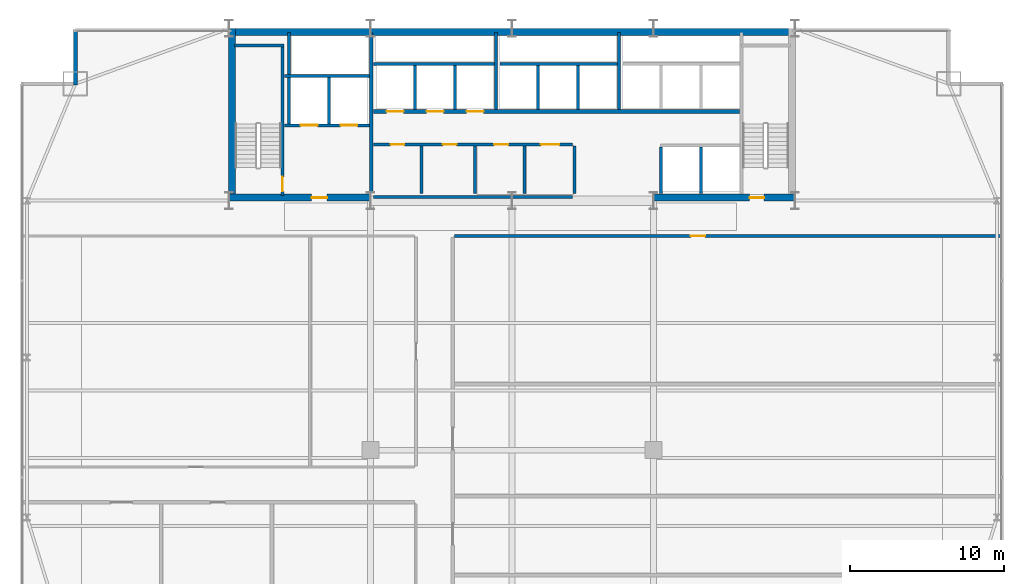
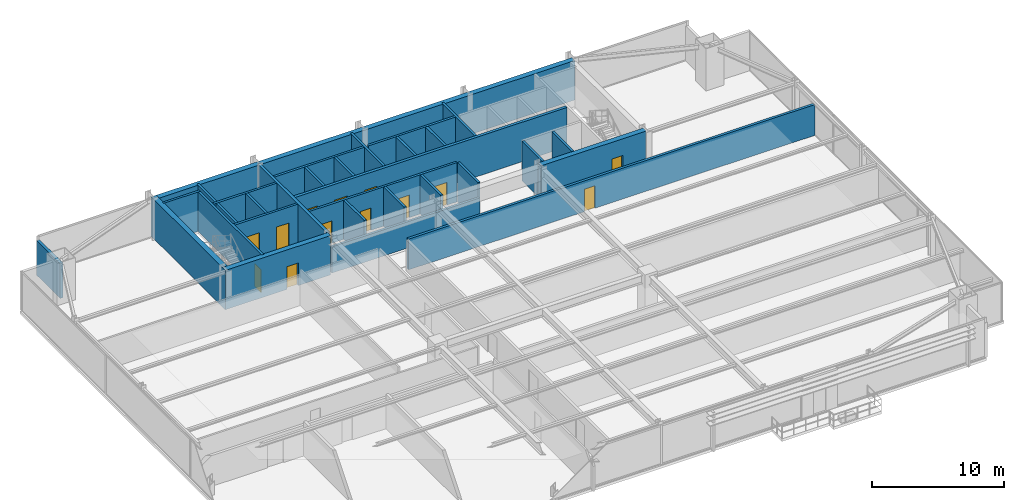
# One storey, part 26 of 29: 30 walls, 13 doors, 13 openings.
"""IFC4 building model written with IfcOpenShell, lengths in metres."""

from ifc_helpers import new_model, si_unit, direction, frame, frame_2d, origin, place, context, subcontext, project, spatial, rectangle, extrude, source, transform, mapped, material, layer, layer_set, type_object, type_shapes, element, fill, save


model = new_model("IFC4")

# Units and contexts
model_context = context("Model", 3, precision=1e-05, world=origin(), true_north=direction((0.0, 1.0)))
body_context = subcontext(model_context, "Body", "Model", "MODEL_VIEW")
ifc_project = project(units=[si_unit("LENGTHUNIT", "METRE"), si_unit("AREAUNIT", "SQUARE_METRE"), si_unit("VOLUMEUNIT", "CUBIC_METRE"), si_unit("PLANEANGLEUNIT", "RADIAN"), si_unit("MASSUNIT", "GRAM", prefix="KILO")], contexts=[model_context])

# Site, building, storey
site_placement = place(None, origin())
site = spatial("IfcSite", under=ifc_project, at=site_placement, CompositionType="ELEMENT")
building_placement = place(site_placement, origin())
building = spatial("IfcBuilding", under=site, at=building_placement, Name="Varnel Quay Broadcast Tower", CompositionType="ELEMENT")
storey_placement = place(building_placement, frame((0.0, 0.0, 74.39990234375)))
storey = spatial("IfcBuildingStorey", under=building, at=storey_placement, Name="L17", CompositionType="ELEMENT", Elevation=74.39990234375)

# Wall, opening, door
ifc_material_1 = material(Name="Concrete CSA A23.3 C50/60", Category="concrete")
ifc_layer_1 = layer(ifc_material_1, 0.199951171875, Name="Concrete CSA A23.3 C50/60")
ifc_layer_set_1 = layer_set([ifc_layer_1], Name="Concrete CSA A23.3 C50/60")
wall_type_1 = type_object("IfcWallType", Name="Wall_CoreShaftShear200", PredefinedType="SHEAR", material=ifc_layer_set_1)
wall_1_placement = place(storey_placement, frame((19.080078125, 35.949951171875, 0.0), z_axis=(0.0, 0.0, 1.0), x_axis=(0.0, 1.0, 0.0)))
wall_1 = element("IfcWall", 1, at=wall_1_placement, inside=storey, type_object=wall_type_1, Name="L17 Stair 1 East Structural Wall", PredefinedType="SHEAR", context=body_context, shape_type="SweptSolid", body=[
    extrude(rectangle(XDim=9.650146484375, YDim=0.199951171875, at=frame_2d((4.8251953125, 0.0))), origin(), (0.0, 0.0, 1.0), 3.650146484375),
])
opening_1_placement = place(wall_1_placement, frame((0.25, 0.0, 0.0)))
opening_1 = element("IfcOpeningElement", 2, at=opening_1_placement, cuts=wall_1, Name="Opening D-L17-S1", PredefinedType="OPENING", context=body_context, shape_type="SweptSolid", body=[
    extrude(rectangle(XDim=0.949951171875, YDim=2.10009765625, at=frame_2d((0.47509765625, 1.050048828125))), frame((0.0, 0.10986328125, 0.0), z_axis=(0.0, -1.0, 0.0), x_axis=(1.0, 0.0, 0.0)), (0.0, 0.0, 1.0), 0.219970703125),
])
ifc_material_2 = material(Name="Insulated Fire-Rated Hollow Steel Door", Category="steel")
door_type_1 = type_object("IfcDoorType", Name="Door_FireStair950", OperationType="NOTDEFINED", PredefinedType="DOOR", material=ifc_material_2)
shared_shape_1 = source(origin(), body_context, "Body", "SweptSolid", [
    extrude(rectangle(XDim=0.949951171875, YDim=2.10009765625, at=frame_2d((0.47509765625, 1.050048828125))), frame((0.0, 0.02490234375, 0.0), z_axis=(0.0, -1.0, 0.0), x_axis=(1.0, 0.0, 0.0)), (0.0, 0.0, 1.0), 0.050048828125),
])
type_shapes(door_type_1, [shared_shape_1])
door_1_placement = place(opening_1_placement, origin())
door_1 = element("IfcDoor", 3, at=door_1_placement, inside=storey, type_object=door_type_1, Name="L17 Stair 1 Fire Door", OperationType="SINGLE_SWING_RIGHT", OverallHeight=2.10009765625, OverallWidth=0.949951171875, PredefinedType="DOOR", context=body_context, shape_type="MappedRepresentation", body=[
    mapped(shared_shape_1, transform((0.0, 0.0, 0.0), x_axis=(1.0, 0.0, 0.0), y_axis=(0.0, 1.0, 0.0), z_axis=(0.0, 0.0, 1.0), scale=1.0)),
])
fill(opening_1, door_1)

# Wall
wall_2_placement = place(storey_placement, frame((15.949951171875, 45.679931640625, 0.0), z_axis=(0.0, 0.0, 1.0), x_axis=(1.0, 0.0, 0.0)))
element("IfcWall", 4, at=wall_2_placement, inside=storey, type_object=wall_type_1, Name="L17 Stair 1 North Structural Wall", PredefinedType="SHEAR", context=body_context, shape_type="SweptSolid", body=[
    extrude(rectangle(XDim=3.22998046875, YDim=0.199951171875, at=frame_2d((1.614990234375, 0.0))), origin(), (0.0, 0.0, 1.0), 3.650146484375),
])

# Wall, openings, doors
wall_3_placement = place(storey_placement, frame((19.199951171875, 40.5, 0.0), z_axis=(0.0, 0.0, 1.0), x_axis=(1.0, 0.0, 0.0)))
wall_3 = element("IfcWall", 5, at=wall_3_placement, inside=storey, type_object=wall_type_1, Name="L17 Firefighter Lift Shaft Front Wall", PredefinedType="SHEAR", context=body_context, shape_type="SweptSolid", body=[
    extrude(rectangle(XDim=5.52001953125, YDim=0.199951171875, at=frame_2d((2.760009765625, 0.0))), origin(), (0.0, 0.0, 1.0), 3.650146484375),
])
opening_2_placement = place(wall_3_placement, frame((1.050048828125, 0.0, 0.0)))
opening_2 = element("IfcOpeningElement", 6, at=opening_2_placement, cuts=wall_3, Name="Opening LD-L17-FE1", PredefinedType="OPENING", context=body_context, shape_type="SweptSolid", body=[
    extrude(rectangle(XDim=1.10009765625, YDim=2.179931640625, at=frame_2d((0.550048828125, 1.08984375))), frame((0.0, 0.10986328125, 0.0), z_axis=(0.0, -1.0, 0.0), x_axis=(1.0, 0.0, 0.0)), (0.0, 0.0, 1.0), 0.219970703125),
])
opening_3_placement = place(wall_3_placement, frame((3.64990234375, 0.0, 0.0)))
opening_3 = element("IfcOpeningElement", 7, at=opening_3_placement, cuts=wall_3, Name="Opening LD-L17-FE2", PredefinedType="OPENING", context=body_context, shape_type="SweptSolid", body=[
    extrude(rectangle(XDim=1.10009765625, YDim=2.179931640625, at=frame_2d((0.550048828125, 1.08984375))), frame((0.0, 0.10986328125, 0.0), z_axis=(0.0, -1.0, 0.0), x_axis=(1.0, 0.0, 0.0)), (0.0, 0.0, 1.0), 0.219970703125),
])
ifc_material_3 = material(Name="Brushed Bronze-Stainless Lift Car & Sliding Doors", Category="steel")
door_type_2 = type_object("IfcDoorType", Name="Door_LiftLanding1100", OperationType="SLIDING_TO_LEFT", PredefinedType="DOOR", material=ifc_material_3)
shared_shape_2 = source(origin(), body_context, "Body", "SweptSolid", [
    extrude(rectangle(XDim=1.10009765625, YDim=2.179931640625, at=frame_2d((0.550048828125, 1.08984375))), frame((0.0, 0.02490234375, 0.0), z_axis=(0.0, -1.0, 0.0), x_axis=(1.0, 0.0, 0.0)), (0.0, 0.0, 1.0), 0.050048828125),
])
type_shapes(door_type_2, [shared_shape_2])
door_2_placement = place(opening_2_placement, frame((1.10009765625, 0.0, 0.0), z_axis=(0.0, 0.0, 1.0), x_axis=(-1.0, 0.0, 0.0)))
door_2 = element("IfcDoor", 8, at=door_2_placement, inside=storey, type_object=door_type_2, Name="L17 Firefighter Lift FE-01 Landing Door", OperationType="SLIDING_TO_LEFT", OverallHeight=2.179931640625, OverallWidth=1.10009765625, PredefinedType="DOOR", context=body_context, shape_type="MappedRepresentation", body=[
    mapped(shared_shape_2, transform((0.0, 0.0, 0.0), x_axis=(1.0, 0.0, 0.0), y_axis=(0.0, 1.0, 0.0), z_axis=(0.0, 0.0, 1.0), scale=1.0)),
])
fill(opening_2, door_2)
door_3_placement = place(opening_3_placement, frame((1.10009765625, 0.0, 0.0), z_axis=(0.0, 0.0, 1.0), x_axis=(-1.0, 0.0, 0.0)))
door_3 = element("IfcDoor", 9, at=door_3_placement, inside=storey, type_object=door_type_2, Name="L17 Firefighter Lift FE-02 Landing Door", OperationType="SLIDING_TO_RIGHT", OverallHeight=2.179931640625, OverallWidth=1.10009765625, PredefinedType="DOOR", context=body_context, shape_type="MappedRepresentation", body=[
    mapped(shared_shape_2, transform((0.0, 0.0, 0.0), x_axis=(1.0, 0.0, 0.0), y_axis=(0.0, 1.0, 0.0), z_axis=(0.0, 0.0, 1.0), scale=1.0)),
])
fill(opening_3, door_3)

# Walls
wall_4_placement = place(storey_placement, frame((19.199951171875, 43.699951171875, 0.0), z_axis=(0.0, 0.0, 1.0), x_axis=(1.0, 0.0, 0.0)))
element("IfcWall", 10, at=wall_4_placement, inside=storey, type_object=wall_type_1, Name="L17 Firefighter Lift Shaft Rear Wall", PredefinedType="SHEAR", context=body_context, shape_type="SweptSolid", body=[
    extrude(rectangle(XDim=5.52001953125, YDim=0.199951171875, at=frame_2d((2.760009765625, 0.0))), origin(), (0.0, 0.0, 1.0), 3.650146484375),
])
wall_5_placement = place(storey_placement, frame((22.10009765625, 40.60009765625, 0.0), z_axis=(0.0, 0.0, 1.0), x_axis=(0.0, 1.0, 0.0)))
element("IfcWall", 11, at=wall_5_placement, inside=storey, type_object=wall_type_1, Name="L17 Firefighter Lift Shaft Divider", PredefinedType="SHEAR", context=body_context, shape_type="SweptSolid", body=[
    extrude(rectangle(XDim=3.0, YDim=0.199951171875, at=frame_2d((1.5, 0.0))), origin(), (0.0, 0.0, 1.0), 3.650146484375),
])
wall_6_placement = place(storey_placement, frame((19.5, 40.60009765625, 0.0), z_axis=(0.0, 0.0, 1.0), x_axis=(0.0, 1.0, 0.0)))
element("IfcWall", 12, at=wall_6_placement, inside=storey, type_object=wall_type_1, Name="L17 Firefighter Lift Shaft West Wall", PredefinedType="SHEAR", context=body_context, shape_type="SweptSolid", body=[
    extrude(rectangle(XDim=5.949951171875, YDim=0.199951171875, at=frame_2d((2.97509765625, 0.0))), origin(), (0.0, 0.0, 1.0), 3.650146484375),
])
wall_7_placement = place(storey_placement, frame((24.97998046875, 44.5, 0.0), z_axis=(0.0, 0.0, 1.0), x_axis=(1.0, 0.0, 0.0)))
element("IfcWall", 13, at=wall_7_placement, inside=storey, type_object=wall_type_1, Name="L17 Low-Rise Lift Shaft Rear Wall", PredefinedType="SHEAR", context=body_context, shape_type="SweptSolid", body=[
    extrude(rectangle(XDim=7.8701171875, YDim=0.199951171875, at=frame_2d((3.93505859375, 0.0))), origin(), (0.0, 0.0, 1.0), 3.650146484375),
])
for number, where, z_axis, x_axis, name in (
    (14, (27.699951171875, 41.530029296875, 0.0), (0.0, 0.0, 1.0), (0.0, 1.0, 0.0), "L17 Low-Rise Lift Shaft Divider 1"),
    (15, (30.300048828125, 41.530029296875, 0.0), (0.0, 0.0, 1.0), (0.0, 1.0, 0.0), "L17 Low-Rise Lift Shaft Divider 2"),
):
    element("IfcWall", number, at=place(storey_placement, frame(where, z_axis=z_axis, x_axis=x_axis)), inside=storey, type_object=wall_type_1, Name=name, PredefinedType="SHEAR", context=body_context, shape_type="SweptSolid", body=[
        extrude(rectangle(XDim=2.869873046875, YDim=0.199951171875, at=frame_2d((1.43505859375, 0.0))), origin(), (0.0, 0.0, 1.0), 3.650146484375),
    ])
wall_8_placement = place(storey_placement, frame((32.949951171875, 41.530029296875, 0.0), z_axis=(0.0, 0.0, 1.0), x_axis=(0.0, 1.0, 0.0)))
element("IfcWall", 16, at=wall_8_placement, inside=storey, type_object=wall_type_1, Name="L17 Low-Rise Lift Shaft Divider 3", PredefinedType="SHEAR", context=body_context, shape_type="SweptSolid", body=[
    extrude(rectangle(XDim=5.02001953125, YDim=0.199951171875, at=frame_2d((2.510009765625, 0.0))), origin(), (0.0, 0.0, 1.0), 3.650146484375),
])
wall_9_placement = place(storey_placement, frame((33.219970703125, 44.5, 0.0), z_axis=(0.0, 0.0, 1.0), x_axis=(1.0, 0.0, 0.0)))
element("IfcWall", 17, at=wall_9_placement, inside=storey, type_object=wall_type_1, Name="L17 Mid-Rise Lift Shaft Rear Wall", PredefinedType="SHEAR", context=body_context, shape_type="SweptSolid", body=[
    extrude(rectangle(XDim=7.630126953125, YDim=0.199951171875, at=frame_2d((3.81494140625, 0.0))), origin(), (0.0, 0.0, 1.0), 3.650146484375),
])
for number, where, z_axis, x_axis, name in (
    (18, (35.699951171875, 41.530029296875, 0.0), (0.0, 0.0, 1.0), (0.0, 1.0, 0.0), "L17 Mid-Rise Lift Shaft Divider 2"),
    (19, (38.300048828125, 41.530029296875, 0.0), (0.0, 0.0, 1.0), (0.0, 1.0, 0.0), "L17 Mid-Rise Lift Shaft Divider 3"),
):
    element("IfcWall", number, at=place(storey_placement, frame(where, z_axis=z_axis, x_axis=x_axis)), inside=storey, type_object=wall_type_1, Name=name, PredefinedType="SHEAR", context=body_context, shape_type="SweptSolid", body=[
        extrude(rectangle(XDim=2.869873046875, YDim=0.199951171875, at=frame_2d((1.43505859375, 0.0))), origin(), (0.0, 0.0, 1.0), 3.650146484375),
    ])
wall_10_placement = place(storey_placement, frame((40.949951171875, 41.530029296875, 0.0), z_axis=(0.0, 0.0, 1.0), x_axis=(0.0, 1.0, 0.0)))
element("IfcWall", 20, at=wall_10_placement, inside=storey, type_object=wall_type_1, Name="L17 Mid-Rise Lift Shaft Divider 4", PredefinedType="SHEAR", context=body_context, shape_type="SweptSolid", body=[
    extrude(rectangle(XDim=5.02001953125, YDim=0.199951171875, at=frame_2d((2.510009765625, 0.0))), origin(), (0.0, 0.0, 1.0), 3.650146484375),
])
for number, where, z_axis, x_axis, name in (
    (21, (43.699951171875, 36.050048828125, 0.0), (0.0, 0.0, 1.0), (0.0, 1.0, 0.0), "L17 Express Lift Shaft West Wall"),
    (22, (46.300048828125, 36.050048828125, 0.0), (0.0, 0.0, 1.0), (0.0, 1.0, 0.0), "L17 Express Lift Shaft Divider"),
):
    element("IfcWall", number, at=place(storey_placement, frame(where, z_axis=z_axis, x_axis=x_axis)), inside=storey, type_object=wall_type_1, Name=name, PredefinedType="SHEAR", context=body_context, shape_type="SweptSolid", body=[
        extrude(rectangle(XDim=3.050048828125, YDim=0.199951171875, at=frame_2d((1.52490234375, 0.0))), origin(), (0.0, 0.0, 1.0), 3.650146484375),
    ])
ifc_layer_2 = layer(ifc_material_1, 0.25, Name="Concrete CSA A23.3 C50/60")
ifc_layer_set_2 = layer_set([ifc_layer_2], Name="Concrete CSA A23.3 C50/60")
wall_type_2 = type_object("IfcWallType", Name="Wall_CoreShaftShear250", PredefinedType="SHEAR", material=ifc_layer_set_2)
wall_11_placement = place(storey_placement, frame((24.85009765625, 36.050048828125, 0.0), z_axis=(0.0, 0.0, 1.0), x_axis=(0.0, 1.0, 0.0)))
element("IfcWall", 23, at=wall_11_placement, inside=storey, type_object=wall_type_2, Name="L17 Firefighting Lobby East Structural Wall", PredefinedType="SHEAR", context=body_context, shape_type="SweptSolid", body=[
    extrude(rectangle(XDim=10.449951171875, YDim=0.25, at=frame_2d((5.22509765625, 0.0))), origin(), (0.0, 0.0, 1.0), 3.650146484375),
])

# Wall, openings, doors
wall_12_placement = place(storey_placement, frame((24.97998046875, 41.39990234375, 0.0), z_axis=(0.0, 0.0, 1.0), x_axis=(1.0, 0.0, 0.0)))
wall_12 = element("IfcWall", 24, at=wall_12_placement, inside=storey, type_object=wall_type_2, Name="L17 North Lift Bank & Reclaimed Suite Wall", PredefinedType="SHEAR", context=body_context, shape_type="SweptSolid", body=[
    extrude(rectangle(XDim=23.820068359375, YDim=0.25, at=frame_2d((11.91015625, 0.0))), origin(), (0.0, 0.0, 1.0), 3.650146484375),
])
opening_4_placement = place(wall_12_placement, frame((0.8701171875, 0.0, 0.0)))
opening_4 = element("IfcOpeningElement", 25, at=opening_4_placement, cuts=wall_12, Name="Opening LD-L17-PL-01", PredefinedType="OPENING", context=body_context, shape_type="SweptSolid", body=[
    extrude(rectangle(XDim=1.10009765625, YDim=2.179931640625, at=frame_2d((0.550048828125, 1.08984375))), frame((0.0, 0.135009765625, 0.0), z_axis=(0.0, -1.0, 0.0), x_axis=(1.0, 0.0, 0.0)), (0.0, 0.0, 1.0), 0.27001953125),
])
opening_5_placement = place(wall_12_placement, frame((3.469970703125, 0.0, 0.0)))
opening_5 = element("IfcOpeningElement", 26, at=opening_5_placement, cuts=wall_12, Name="Opening LD-L17-PL-02", PredefinedType="OPENING", context=body_context, shape_type="SweptSolid", body=[
    extrude(rectangle(XDim=1.10009765625, YDim=2.179931640625, at=frame_2d((0.550048828125, 1.08984375))), frame((0.0, 0.135009765625, 0.0), z_axis=(0.0, -1.0, 0.0), x_axis=(1.0, 0.0, 0.0)), (0.0, 0.0, 1.0), 0.27001953125),
])
opening_6_placement = place(wall_12_placement, frame((6.070068359375, 0.0, 0.0)))
opening_6 = element("IfcOpeningElement", 27, at=opening_6_placement, cuts=wall_12, Name="Opening LD-L17-PL-03", PredefinedType="OPENING", context=body_context, shape_type="SweptSolid", body=[
    extrude(rectangle(XDim=1.10009765625, YDim=2.179931640625, at=frame_2d((0.550048828125, 1.08984375))), frame((0.0, 0.135009765625, 0.0), z_axis=(0.0, -1.0, 0.0), x_axis=(1.0, 0.0, 0.0)), (0.0, 0.0, 1.0), 0.27001953125),
])
door_4_placement = place(opening_4_placement, frame((1.10009765625, 0.0, 0.0), z_axis=(0.0, 0.0, 1.0), x_axis=(-1.0, 0.0, 0.0)))
door_4 = element("IfcDoor", 28, at=door_4_placement, inside=storey, type_object=door_type_2, Name="L17 Lift PL-01 Landing Door", OperationType="SLIDING_TO_LEFT", OverallHeight=2.179931640625, OverallWidth=1.10009765625, PredefinedType="DOOR", context=body_context, shape_type="MappedRepresentation", body=[
    mapped(shared_shape_2, transform((0.0, 0.0, 0.0), x_axis=(1.0, 0.0, 0.0), y_axis=(0.0, 1.0, 0.0), z_axis=(0.0, 0.0, 1.0), scale=1.0)),
])
fill(opening_4, door_4)
door_5_placement = place(opening_5_placement, frame((1.10009765625, 0.0, 0.0), z_axis=(0.0, 0.0, 1.0), x_axis=(-1.0, 0.0, 0.0)))
door_5 = element("IfcDoor", 29, at=door_5_placement, inside=storey, type_object=door_type_2, Name="L17 Lift PL-02 Landing Door", OperationType="SLIDING_TO_LEFT", OverallHeight=2.179931640625, OverallWidth=1.10009765625, PredefinedType="DOOR", context=body_context, shape_type="MappedRepresentation", body=[
    mapped(shared_shape_2, transform((0.0, 0.0, 0.0), x_axis=(1.0, 0.0, 0.0), y_axis=(0.0, 1.0, 0.0), z_axis=(0.0, 0.0, 1.0), scale=1.0)),
])
fill(opening_5, door_5)
door_6_placement = place(opening_6_placement, frame((1.10009765625, 0.0, 0.0), z_axis=(0.0, 0.0, 1.0), x_axis=(-1.0, 0.0, 0.0)))
door_6 = element("IfcDoor", 30, at=door_6_placement, inside=storey, type_object=door_type_2, Name="L17 Lift PL-03 Landing Door", OperationType="SLIDING_TO_LEFT", OverallHeight=2.179931640625, OverallWidth=1.10009765625, PredefinedType="DOOR", context=body_context, shape_type="MappedRepresentation", body=[
    mapped(shared_shape_2, transform((0.0, 0.0, 0.0), x_axis=(1.0, 0.0, 0.0), y_axis=(0.0, 1.0, 0.0), z_axis=(0.0, 0.0, 1.0), scale=1.0)),
])
fill(opening_6, door_6)

# Walls
ifc_material_4 = material(Name="Concrete CSA A23.3 C60/75", Category="concrete")
ifc_layer_3 = layer(ifc_material_4, 0.449951171875, Name="Concrete CSA A23.3 C60/75")
ifc_layer_set_3 = layer_set([ifc_layer_3], Name="Concrete CSA A23.3 C60/75")
wall_type_3 = type_object("IfcWallType", Name="Wall_CoreShearExt450", PredefinedType="SHEAR", material=ifc_layer_set_3)
wall_13_placement = place(storey_placement, frame((15.60009765625, 46.574951171875, 0.0), z_axis=(0.0, 0.0, 1.0), x_axis=(1.0, 0.0, 0.0)))
element("IfcWall", 31, at=wall_13_placement, inside=storey, type_object=wall_type_3, Name="L17 North Core Shear Wall", PredefinedType="SHEAR", context=body_context, shape_type="SweptSolid", body=[
    extrude(rectangle(XDim=36.7998046875, YDim=0.449951171875, at=frame_2d((18.39990234375, 0.0))), origin(), (0.0, 0.0, 1.0), 3.650146484375),
])
ifc_layer_4 = layer(ifc_material_4, 0.449951171875, Name="Concrete CSA A23.3 C60/75")
ifc_layer_set_4 = layer_set([ifc_layer_4], Name="Concrete CSA A23.3 C60/75")
wall_type_4 = type_object("IfcWallType", Name="Wall_CoreShearInt450", PredefinedType="SHEAR", material=ifc_layer_set_4)
wall_14_placement = place(storey_placement, frame((15.794921875, 35.570068359375, 0.0), z_axis=(0.0, 0.0, 1.0), x_axis=(0.0, 1.0, 0.0)))
element("IfcWall", 32, at=wall_14_placement, inside=storey, type_object=wall_type_4, Name="L17 West Core Shear Wall", PredefinedType="SHEAR", context=body_context, shape_type="SweptSolid", body=[
    extrude(rectangle(XDim=11.22998046875, YDim=0.449951171875, at=frame_2d((5.614990234375, 0.0))), origin(), (0.0, 0.0, 1.0), 3.650146484375),
])

# Wall, opening, door
wall_15_placement = place(storey_placement, frame((15.570068359375, 35.794921875, 0.0), z_axis=(0.0, 0.0, 1.0), x_axis=(1.0, 0.0, 0.0)))
wall_15 = element("IfcWall", 33, at=wall_15_placement, inside=storey, type_object=wall_type_4, Name="L17 South-West Core Shear Wall", PredefinedType="SHEAR", context=body_context, shape_type="SweptSolid", body=[
    extrude(rectangle(XDim=9.22998046875, YDim=0.449951171875, at=frame_2d((4.614990234375, 0.0))), origin(), (0.0, 0.0, 1.0), 3.650146484375),
])
opening_7_placement = place(wall_15_placement, frame((5.39990234375, 0.0, 0.0)))
opening_7 = element("IfcOpeningElement", 34, at=opening_7_placement, cuts=wall_15, Name="Opening D-L17-FFL", PredefinedType="OPENING", context=body_context, shape_type="SweptSolid", body=[
    extrude(rectangle(XDim=1.0, YDim=2.10009765625, at=frame_2d((0.5, 1.050048828125))), frame((0.0, 0.23486328125, 0.0), z_axis=(0.0, -1.0, 0.0), x_axis=(1.0, 0.0, 0.0)), (0.0, 0.0, 1.0), 0.469970703125),
])
door_type_3 = type_object("IfcDoorType", Name="Door_FireLobby1000", OperationType="NOTDEFINED", PredefinedType="DOOR", material=ifc_material_2)
shared_shape_3 = source(origin(), body_context, "Body", "SweptSolid", [
    extrude(rectangle(XDim=1.0, YDim=2.10009765625, at=frame_2d((0.5, 1.050048828125))), frame((0.0, 0.02490234375, 0.0), z_axis=(0.0, -1.0, 0.0), x_axis=(1.0, 0.0, 0.0)), (0.0, 0.0, 1.0), 0.050048828125),
])
type_shapes(door_type_3, [shared_shape_3])
door_7_placement = place(opening_7_placement, origin())
door_7 = element("IfcDoor", 35, at=door_7_placement, inside=storey, type_object=door_type_3, Name="L17 Firefighting Lobby Door", OperationType="SINGLE_SWING_LEFT", OverallHeight=2.10009765625, OverallWidth=1.0, PredefinedType="DOOR", context=body_context, shape_type="MappedRepresentation", body=[
    mapped(shared_shape_3, transform((0.0, 0.0, 0.0), x_axis=(1.0, 0.0, 0.0), y_axis=(0.0, 1.0, 0.0), z_axis=(0.0, 0.0, 1.0), scale=1.0)),
])
fill(opening_7, door_7)

wall_16_placement = place(storey_placement, frame((43.199951171875, 35.794921875, 0.0), z_axis=(0.0, 0.0, 1.0), x_axis=(1.0, 0.0, 0.0)))
wall_16 = element("IfcWall", 36, at=wall_16_placement, inside=storey, type_object=wall_type_4, Name="L17 South-East Core Shear Wall", PredefinedType="SHEAR", context=body_context, shape_type="SweptSolid", body=[
    extrude(rectangle(XDim=9.22998046875, YDim=0.449951171875, at=frame_2d((4.614990234375, 0.0))), origin(), (0.0, 0.0, 1.0), 3.650146484375),
])
opening_8_placement = place(wall_16_placement, frame((6.25, 0.0, 0.0)))
opening_8 = element("IfcOpeningElement", 37, at=opening_8_placement, cuts=wall_16, Name="Opening D-L17-S2", PredefinedType="OPENING", context=body_context, shape_type="SweptSolid", body=[
    extrude(rectangle(XDim=0.949951171875, YDim=2.10009765625, at=frame_2d((0.47509765625, 1.050048828125))), frame((0.0, 0.23486328125, 0.0), z_axis=(0.0, -1.0, 0.0), x_axis=(1.0, 0.0, 0.0)), (0.0, 0.0, 1.0), 0.469970703125),
])
door_8_placement = place(opening_8_placement, origin())
door_8 = element("IfcDoor", 38, at=door_8_placement, inside=storey, type_object=door_type_1, Name="L17 Stair 2 Fire Door", OperationType="SINGLE_SWING_RIGHT", OverallHeight=2.10009765625, OverallWidth=0.949951171875, PredefinedType="DOOR", context=body_context, shape_type="MappedRepresentation", body=[
    mapped(shared_shape_1, transform((0.0, 0.0, 0.0), x_axis=(1.0, 0.0, 0.0), y_axis=(0.0, 1.0, 0.0), z_axis=(0.0, 0.0, 1.0), scale=1.0)),
])
fill(opening_8, door_8)

# Walls
ifc_material_5 = material(Name="Precast Architectural Concrete C40/50", Category="concrete")
ifc_layer_5 = layer(ifc_material_5, 0.25, Name="Precast Architectural Concrete C40/50")
ifc_layer_set_5 = layer_set([ifc_layer_5], Name="Precast Architectural Concrete C40/50")
wall_type_5 = type_object("IfcWallType", Name="Wall_ExtTerrace250", PredefinedType="SOLIDWALL", material=ifc_layer_set_5)
wall_17_placement = place(storey_placement, frame((5.60009765625, 43.1201171875, 0.0), z_axis=(0.0, 0.0, 1.0), x_axis=(0.0, 1.0, 0.0)))
element("IfcWall", 39, at=wall_17_placement, inside=storey, type_object=wall_type_5, Name="L17 Mega-Column Notch Cladding Wall NNW2", PredefinedType="SOLIDWALL", context=body_context, shape_type="SweptSolid", body=[
    extrude(rectangle(XDim=3.599853515625, YDim=0.25, at=frame_2d((1.7998046875, 0.0))), origin(), (0.0, 0.0, 1.0), 3.2080078125),
])
ifc_material_6 = material(Name="Concrete Blockwork Fire Enclosure C40/50", Category="masonry")
ifc_layer_6 = layer(ifc_material_6, 0.199951171875, Name="Concrete Blockwork Fire Enclosure C40/50")
ifc_layer_set_6 = layer_set([ifc_layer_6], Name="Concrete Blockwork Fire Enclosure C40/50")
wall_type_6 = type_object("IfcWallType", Name="Wall_FireShaft200", PredefinedType="SOLIDWALL", material=ifc_layer_set_6)
wall_18_placement = place(storey_placement, frame((25.0, 35.824951171875, 0.0), z_axis=(0.0, 0.0, 1.0), x_axis=(1.0, 0.0, 0.0)))
element("IfcWall", 40, at=wall_18_placement, inside=storey, type_object=wall_type_6, Name="L17 Accessible Universal Washroom Partition 1", PredefinedType="SOLIDWALL", context=body_context, shape_type="SweptSolid", body=[
    extrude(rectangle(XDim=12.949951171875, YDim=0.199951171875, at=frame_2d((6.47509765625, 0.0))), origin(), (0.0, 0.0, 1.0), 2.425048828125),
])

# Wall, openings, doors
wall_19_placement = place(storey_placement, frame((25.0, 39.25, 0.0), z_axis=(0.0, 0.0, 1.0), x_axis=(1.0, 0.0, 0.0)))
wall_19 = element("IfcWall", 41, at=wall_19_placement, inside=storey, type_object=wall_type_6, Name="L17 Accessible Universal Washroom Partition 3", PredefinedType="SOLIDWALL", context=body_context, shape_type="SweptSolid", body=[
    extrude(rectangle(XDim=12.949951171875, YDim=0.199951171875, at=frame_2d((6.47509765625, 0.0))), origin(), (0.0, 0.0, 1.0), 3.630126953125),
])
opening_9_placement = place(wall_19_placement, frame((1.10009765625, 0.0, 0.0)))
opening_9 = element("IfcOpeningElement", 42, at=opening_9_placement, cuts=wall_19, Name="Opening D-L17-01", PredefinedType="OPENING", context=body_context, shape_type="SweptSolid", body=[
    extrude(rectangle(XDim=0.89990234375, YDim=2.06005859375, at=frame_2d((0.449951171875, 1.030029296875))), frame((0.0, 0.10986328125, 0.0), z_axis=(0.0, -1.0, 0.0), x_axis=(1.0, 0.0, 0.0)), (0.0, 0.0, 1.0), 0.219970703125),
])
opening_10_placement = place(wall_19_placement, frame((4.5, 0.0, 0.0)))
opening_10 = element("IfcOpeningElement", 43, at=opening_10_placement, cuts=wall_19, Name="Opening D-L17-02", PredefinedType="OPENING", context=body_context, shape_type="SweptSolid", body=[
    extrude(rectangle(XDim=0.89990234375, YDim=2.06005859375, at=frame_2d((0.449951171875, 1.030029296875))), frame((0.0, 0.10986328125, 0.0), z_axis=(0.0, -1.0, 0.0), x_axis=(1.0, 0.0, 0.0)), (0.0, 0.0, 1.0), 0.219970703125),
])
opening_11_placement = place(wall_19_placement, frame((7.840087890625, 0.0, 0.0)))
opening_11 = element("IfcOpeningElement", 44, at=opening_11_placement, cuts=wall_19, Name="Opening D-L17-03", PredefinedType="OPENING", context=body_context, shape_type="SweptSolid", body=[
    extrude(rectangle(XDim=0.919921875, YDim=2.080078125, at=frame_2d((0.4599609375, 1.0400390625))), frame((0.0, 0.10986328125, 0.0), z_axis=(0.0, -1.0, 0.0), x_axis=(1.0, 0.0, 0.0)), (0.0, 0.0, 1.0), 0.219970703125),
])
opening_12_placement = place(wall_19_placement, frame((10.875, 0.0, 0.0)))
opening_12 = element("IfcOpeningElement", 45, at=opening_12_placement, cuts=wall_19, Name="Opening D-L17-04", PredefinedType="OPENING", context=body_context, shape_type="SweptSolid", body=[
    extrude(rectangle(XDim=1.199951171875, YDim=2.10009765625, at=frame_2d((0.60009765625, 1.050048828125))), frame((0.0, 0.10986328125, 0.0), z_axis=(0.0, -1.0, 0.0), x_axis=(1.0, 0.0, 0.0)), (0.0, 0.0, 1.0), 0.219970703125),
])
ifc_material_7 = material(Name="Solid-Core Fire-Rated Acoustic Oak Veneer Door", Category="wood")
door_type_4 = type_object("IfcDoorType", Name="Door_Washroom900", OperationType="NOTDEFINED", PredefinedType="DOOR", material=ifc_material_7)
shared_shape_4 = source(origin(), body_context, "Body", "SweptSolid", [
    extrude(rectangle(XDim=0.89990234375, YDim=2.06005859375, at=frame_2d((0.449951171875, 1.030029296875))), frame((0.0, 0.02490234375, 0.0), z_axis=(0.0, -1.0, 0.0), x_axis=(1.0, 0.0, 0.0)), (0.0, 0.0, 1.0), 0.050048828125),
])
type_shapes(door_type_4, [shared_shape_4])
door_9_placement = place(opening_9_placement, frame((0.89990234375, 0.0, 0.0), z_axis=(0.0, 0.0, 1.0), x_axis=(-1.0, 0.0, 0.0)))
door_9 = element("IfcDoor", 46, at=door_9_placement, inside=storey, type_object=door_type_4, Name="L17 Accessible Universal Washroom Door D-L17-01", OperationType="SINGLE_SWING_LEFT", OverallHeight=2.06005859375, OverallWidth=0.89990234375, PredefinedType="DOOR", context=body_context, shape_type="MappedRepresentation", body=[
    mapped(shared_shape_4, transform((0.0, 0.0, 0.0), x_axis=(1.0, 0.0, 0.0), y_axis=(0.0, 1.0, 0.0), z_axis=(0.0, 0.0, 1.0), scale=1.0)),
])
fill(opening_9, door_9)
door_10_placement = place(opening_10_placement, frame((0.89990234375, 0.0, 0.0), z_axis=(0.0, 0.0, 1.0), x_axis=(-1.0, 0.0, 0.0)))
door_10 = element("IfcDoor", 47, at=door_10_placement, inside=storey, type_object=door_type_4, Name="L17 Staff Washroom Block Door D-L17-02", OperationType="SINGLE_SWING_RIGHT", OverallHeight=2.06005859375, OverallWidth=0.89990234375, PredefinedType="DOOR", context=body_context, shape_type="MappedRepresentation", body=[
    mapped(shared_shape_4, transform((0.0, 0.0, 0.0), x_axis=(1.0, 0.0, 0.0), y_axis=(0.0, 1.0, 0.0), z_axis=(0.0, 0.0, 1.0), scale=1.0)),
])
fill(opening_10, door_10)
door_type_5 = type_object("IfcDoorType", Name="Door_Plant1200", OperationType="NOTDEFINED", PredefinedType="DOOR", material=ifc_material_2)
shared_shape_5 = source(origin(), body_context, "Body", "SweptSolid", [
    extrude(rectangle(XDim=1.199951171875, YDim=2.10009765625, at=frame_2d((0.60009765625, 1.050048828125))), frame((0.0, 0.02490234375, 0.0), z_axis=(0.0, -1.0, 0.0), x_axis=(1.0, 0.0, 0.0)), (0.0, 0.0, 1.0), 0.050048828125),
])
type_shapes(door_type_5, [shared_shape_5])
door_11_placement = place(opening_12_placement, origin())
door_11 = element("IfcDoor", 48, at=door_11_placement, inside=storey, type_object=door_type_5, Name="L17 Zone Lighting Dimmer Room Door D-L17-04", OperationType="SINGLE_SWING_RIGHT", OverallHeight=2.10009765625, OverallWidth=1.199951171875, PredefinedType="DOOR", context=body_context, shape_type="MappedRepresentation", body=[
    mapped(shared_shape_5, transform((0.0, 0.0, 0.0), x_axis=(1.0, 0.0, 0.0), y_axis=(0.0, 1.0, 0.0), z_axis=(0.0, 0.0, 1.0), scale=1.0)),
])
fill(opening_12, door_11)
door_type_6 = type_object("IfcDoorType", Name="Door_Office920", OperationType="NOTDEFINED", PredefinedType="DOOR", material=ifc_material_7)
shared_shape_6 = source(origin(), body_context, "Body", "SweptSolid", [
    extrude(rectangle(XDim=0.919921875, YDim=2.080078125, at=frame_2d((0.4599609375, 1.0400390625))), frame((0.0, 0.02490234375, 0.0), z_axis=(0.0, -1.0, 0.0), x_axis=(1.0, 0.0, 0.0)), (0.0, 0.0, 1.0), 0.050048828125),
])
type_shapes(door_type_6, [shared_shape_6])
door_12_placement = place(opening_11_placement, frame((0.919921875, 0.0, 0.0), z_axis=(0.0, 0.0, 1.0), x_axis=(-1.0, 0.0, 0.0)))
door_12 = element("IfcDoor", 49, at=door_12_placement, inside=storey, type_object=door_type_6, Name="L17 Broadcast First-Aid & Quiet Room Door D-L17-03", OperationType="SINGLE_SWING_LEFT", OverallHeight=2.080078125, OverallWidth=0.919921875, PredefinedType="DOOR", context=body_context, shape_type="MappedRepresentation", body=[
    mapped(shared_shape_6, transform((0.0, 0.0, 0.0), x_axis=(1.0, 0.0, 0.0), y_axis=(0.0, 1.0, 0.0), z_axis=(0.0, 0.0, 1.0), scale=1.0)),
])
fill(opening_11, door_12)

# Walls
for number, where, z_axis, x_axis, name in (
    (50, (34.800048828125, 36.050048828125, 0.0), (0.0, 0.0, 1.0), (0.0, 1.0, 0.0), "L17 Broadcast First-Aid & Quiet Room Partition 5"),
    (51, (38.074951171875, 36.050048828125, 0.0), (0.0, 0.0, 1.0), (0.0, 1.0, 0.0), "L17 Zone Lighting Dimmer Room Partition 6"),
):
    element("IfcWall", number, at=place(storey_placement, frame(where, z_axis=z_axis, x_axis=x_axis)), inside=storey, type_object=wall_type_6, Name=name, PredefinedType="SOLIDWALL", context=body_context, shape_type="SweptSolid", body=[
        extrude(rectangle(XDim=3.099853515625, YDim=0.199951171875, at=frame_2d((1.5498046875, 0.0))), origin(), (0.0, 0.0, 1.0), 3.630126953125),
    ])

# Wall, opening, door
ifc_material_8 = material(Name="Steel-Stud Fire-Rated Acoustic Gypsum Partition Assembly", Category="steel")
ifc_layer_7 = layer(ifc_material_8, 0.22509765625, Name="Steel-Stud Fire-Rated Acoustic Gypsum Partition Assembly")
ifc_layer_set_7 = layer_set([ifc_layer_7], Name="Steel-Stud Fire-Rated Acoustic Gypsum Partition Assembly")
wall_type_7 = type_object("IfcWallType", Name="Wall_Partition225", PredefinedType="PARTITIONING", material=ifc_layer_set_7)
wall_20_placement = place(storey_placement, frame((30.25, 33.300048828125, 0.0), z_axis=(0.0, 0.0, 1.0), x_axis=(1.0, 0.0, 0.0)))
wall_20 = element("IfcWall", 52, at=wall_20_placement, inside=storey, type_object=wall_type_7, Name="L17 Audio Control Room 9 Partition 19", PredefinedType="PARTITIONING", context=body_context, shape_type="SweptSolid", body=[
    extrude(rectangle(XDim=35.570068359375, YDim=0.22509765625, at=frame_2d((17.78515625, 0.0))), origin(), (0.0, 0.0, 1.0), 2.85205078125),
])
opening_13_placement = place(wall_20_placement, frame((15.389892578125, 0.0, 0.0)))
opening_13 = element("IfcOpeningElement", 53, at=opening_13_placement, cuts=wall_20, Name="Opening D-L17-13", PredefinedType="OPENING", context=body_context, shape_type="SweptSolid", body=[
    extrude(rectangle(XDim=0.919921875, YDim=2.080078125, at=frame_2d((0.4599609375, 1.0400390625))), frame((0.0, 0.12255859375, 0.0), z_axis=(0.0, -1.0, 0.0), x_axis=(1.0, 0.0, 0.0)), (0.0, 0.0, 1.0), 0.2451171875),
])
door_13_placement = place(opening_13_placement, frame((0.919921875, 0.0, 0.0), z_axis=(0.0, 0.0, 1.0), x_axis=(-1.0, 0.0, 0.0)))
door_13 = element("IfcDoor", 54, at=door_13_placement, inside=storey, type_object=door_type_6, Name="L17 Audio Control Room 9 Door D-L17-13", OperationType="SINGLE_SWING_LEFT", OverallHeight=2.080078125, OverallWidth=0.919921875, PredefinedType="DOOR", context=body_context, shape_type="MappedRepresentation", body=[
    mapped(shared_shape_6, transform((0.0, 0.0, 0.0), x_axis=(1.0, 0.0, 0.0), y_axis=(0.0, 1.0, 0.0), z_axis=(0.0, 0.0, 1.0), scale=1.0)),
])
fill(opening_13, door_13)

# Walls
ifc_material_9 = material(Name="Fire-Rated Moisture-Resistant Plumbing Chase Partition")
ifc_layer_8 = layer(ifc_material_9, 0.199951171875, Name="Fire-Rated Moisture-Resistant Plumbing Chase Partition")
ifc_layer_set_8 = layer_set([ifc_layer_8], Name="Fire-Rated Moisture-Resistant Plumbing Chase Partition")
wall_type_8 = type_object("IfcWallType", Name="Wall_Plumbing200", PredefinedType="PLUMBINGWALL", material=ifc_layer_set_8)
for number, where, z_axis, x_axis, name in (
    (55, (28.10009765625, 36.050048828125, 0.0), (0.0, 0.0, 1.0), (0.0, 1.0, 0.0), "L17 Accessible Universal Washroom Partition 2"),
    (56, (31.60009765625, 36.050048828125, 0.0), (0.0, 0.0, 1.0), (0.0, 1.0, 0.0), "L17 Staff Washroom Block Partition 4"),
):
    element("IfcWall", number, at=place(storey_placement, frame(where, z_axis=z_axis, x_axis=x_axis)), inside=storey, type_object=wall_type_8, Name=name, PredefinedType="PLUMBINGWALL", context=body_context, shape_type="SweptSolid", body=[
        extrude(rectangle(XDim=3.099853515625, YDim=0.199951171875, at=frame_2d((1.5498046875, 0.0))), origin(), (0.0, 0.0, 1.0), 3.630126953125),
    ])

save(model, "model.ifc")
